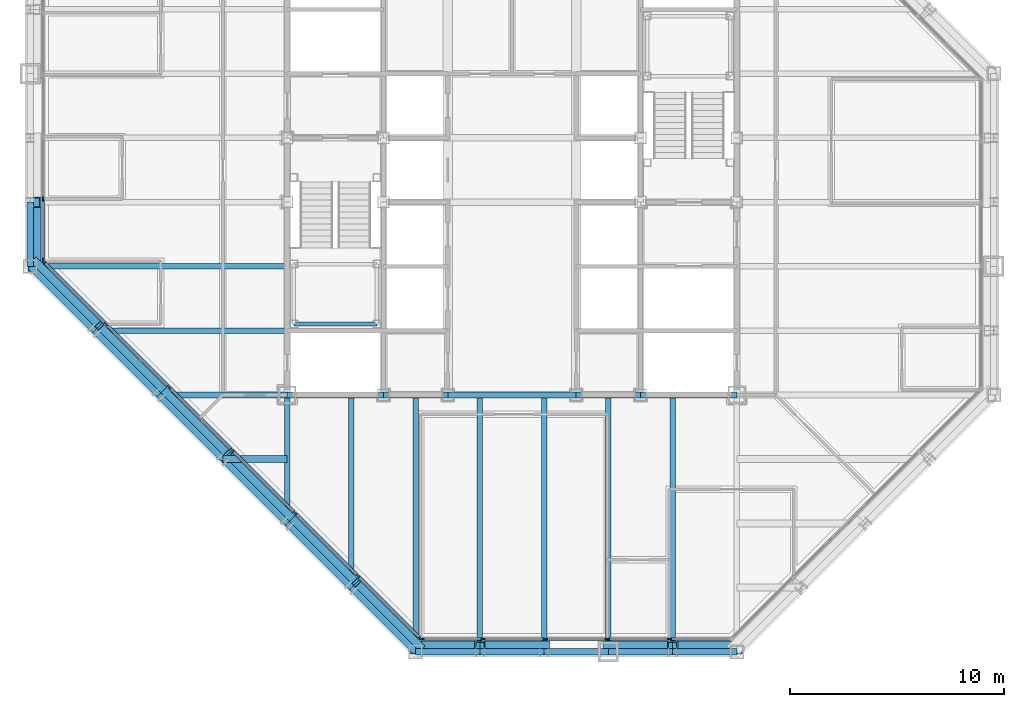
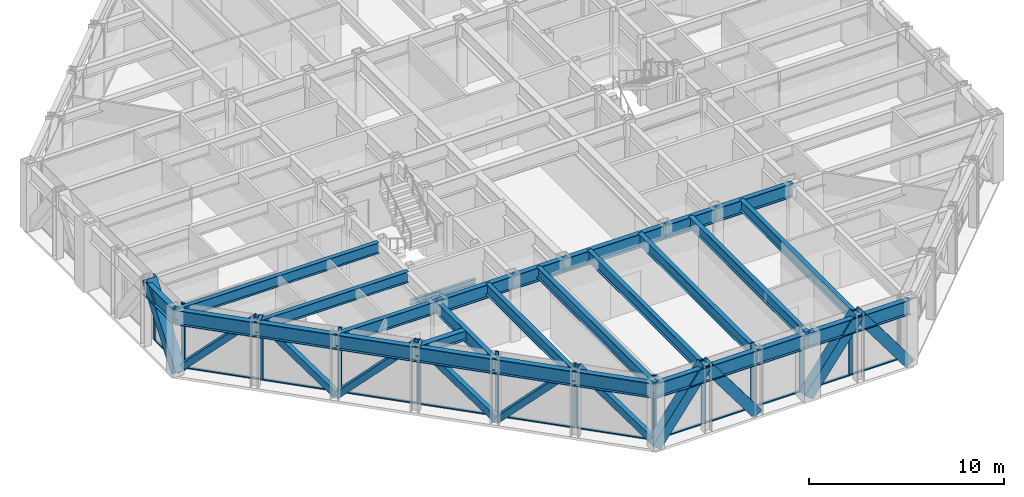
# One storey, part 5 of 16: 37 members, 29 beams, 3 elements without a shape of their own.
"""IFC4 building model written with IfcOpenShell, lengths in metres."""

from ifc_helpers import new_model, si_unit, direction, frame, origin, origin_2d, place, context, subcontext, project, spatial, rectangle, hollow_rectangle, i_section, extrude, material, layer, layer_set, material_profile, profile_set, type_object, element, aggregate, save


model = new_model("IFC4")

# Units and contexts
model_context = context("Model", 3, precision=1e-05, world=origin(), true_north=direction((0.0, 1.0)))
body_context = subcontext(model_context, "Body", "Model", "MODEL_VIEW")
ifc_project = project(units=[si_unit("LENGTHUNIT", "METRE"), si_unit("AREAUNIT", "SQUARE_METRE"), si_unit("VOLUMEUNIT", "CUBIC_METRE"), si_unit("PLANEANGLEUNIT", "RADIAN"), si_unit("MASSUNIT", "GRAM", prefix="KILO")], contexts=[model_context])

# Site, building, storey
site_placement = place(None, origin())
site = spatial("IfcSite", under=ifc_project, at=site_placement, CompositionType="ELEMENT")
building_placement = place(site_placement, origin())
building = spatial("IfcBuilding", under=site, at=building_placement, Name="Chuquiago Exchange Tower", CompositionType="ELEMENT")
storey_placement = place(building_placement, frame((0.0, 0.0, 234.89990234375)))
storey = spatial("IfcBuildingStorey", under=building, at=storey_placement, Name="L52", CompositionType="ELEMENT", Elevation=234.89990234375)

# Beams
ifc_material_1 = material(Name="Steel ASTM A992", Category="steel")
ifc_material_profile_1 = material_profile(ifc_material_1, i_section(OverallWidth=0.25390625, OverallDepth=0.683349609375, WebThickness=0.012451171875, FlangeThickness=0.018798828125, at=origin_2d()), Name="W27X94")
ifc_profile_set_1 = profile_set([ifc_material_profile_1], Name="Steel ASTM A992")
beam_type_1 = type_object("IfcBeamType", Name="B1 W27X94", PredefinedType="BEAM", material=ifc_profile_set_1)
beam_1_placement = place(storey_placement, frame((15.0, 12.0, 3.698486328125), z_axis=(0.0, -1.0, 0.0), x_axis=(1.0, 0.0, 0.0)))
element("IfcBeam", 1, at=beam_1_placement, inside=storey, type_object=beam_type_1, Name="FB-L53-infill-15_12-15_3-0", PredefinedType="BEAM", context=body_context, shape_type="SweptSolid", body=[
    extrude(i_section(OverallWidth=0.25390625, OverallDepth=0.683349609375, WebThickness=0.012451171875, FlangeThickness=0.018798828125, at=origin_2d()), origin(), (0.0, 0.0, 1.0), 9.0),
])
for number, where, z_axis, x_axis, name in (
    (2, (18.0, 12.0, 3.698486328125), (0.0, -1.0, 0.0), (1.0, 0.0, 0.0), "FB-L53-infill-18_12-18_-0-0"),
    (3, (21.0, 12.0, 3.698486328125), (0.0, -1.0, 0.0), (1.0, 0.0, 0.0), "FB-L53-infill-21_12-21_-0-0"),
    (4, (24.0, 12.0, 3.698486328125), (0.0, -1.0, 0.0), (1.0, 0.0, 0.0), "FB-L53-infill-24_12-24_-0-0"),
    (5, (27.0, 12.0, 3.698486328125), (0.0, -1.0, 0.0), (1.0, 0.0, 0.0), "FB-L53-infill-27_12-27_-0-0"),
    (6, (30.0, 12.0, 3.698486328125), (0.0, -1.0, 0.0), (1.0, 0.0, 0.0), "FB-L53-infill-30_12-30_-0-0"),
):
    element("IfcBeam", number, at=place(storey_placement, frame(where, z_axis=z_axis, x_axis=x_axis)), inside=storey, type_object=beam_type_1, Name=name, PredefinedType="BEAM", context=body_context, shape_type="SweptSolid", body=[
        extrude(i_section(OverallWidth=0.25390625, OverallDepth=0.683349609375, WebThickness=0.012451171875, FlangeThickness=0.018798828125, at=origin_2d()), origin(), (0.0, 0.0, 1.0), 12.0),
    ])
beam_2_placement = place(storey_placement, frame((12.0, 15.0, 3.698486328125), z_axis=(-1.0, 0.0, 0.0), x_axis=(0.0, -1.0, 0.0)))
element("IfcBeam", 7, at=beam_2_placement, inside=storey, type_object=beam_type_1, Name="FB-L53-infill-12_15-3_15-0", PredefinedType="BEAM", context=body_context, shape_type="SweptSolid", body=[
    extrude(i_section(OverallWidth=0.25390625, OverallDepth=0.683349609375, WebThickness=0.012451171875, FlangeThickness=0.018798828125, at=origin_2d()), origin(), (0.0, 0.0, 1.0), 9.0),
])
beam_3_placement = place(storey_placement, frame((12.0, 18.0, 3.698486328125), z_axis=(-1.0, 0.0, 0.0), x_axis=(0.0, -1.0, 0.0)))
element("IfcBeam", 8, at=beam_3_placement, inside=storey, type_object=beam_type_1, Name="FB-L53-infill-12_18--0_18-0", PredefinedType="BEAM", context=body_context, shape_type="SweptSolid", body=[
    extrude(i_section(OverallWidth=0.25390625, OverallDepth=0.683349609375, WebThickness=0.012451171875, FlangeThickness=0.018798828125, at=origin_2d()), origin(), (0.0, 0.0, 1.0), 12.0),
])
ifc_material_2 = material(Name="Steel ASTM A992", Category="steel")
ifc_material_profile_2 = material_profile(ifc_material_2, i_section(OverallWidth=0.3251953125, OverallDepth=0.612060546875, WebThickness=0.0126953125, FlangeThickness=0.01904296875, at=origin_2d()), Name="W24X104")
ifc_profile_set_2 = profile_set([ifc_material_profile_2], Name="Steel ASTM A992")
beam_type_2 = type_object("IfcBeamType", Name="B2 W24X104", PredefinedType="BEAM", material=ifc_profile_set_2)
beam_4_placement = place(storey_placement, frame((12.0, 9.0, 3.73388671875), z_axis=(-1.0, 0.0, 0.0), x_axis=(0.0, -1.0, 0.0)))
element("IfcBeam", 9, at=beam_4_placement, inside=storey, type_object=beam_type_2, Name="FB-L53-corner-12_9-9_9-0", PredefinedType="BEAM", context=body_context, shape_type="SweptSolid", body=[
    extrude(i_section(OverallWidth=0.3251953125, OverallDepth=0.612060546875, WebThickness=0.0126953125, FlangeThickness=0.01904296875, at=origin_2d()), origin(), (0.0, 0.0, 1.0), 3.0),
])
ifc_material_3 = material(Name="Steel ASTM A992", Category="steel")
ifc_material_profile_3 = material_profile(ifc_material_3, i_section(OverallWidth=0.2919921875, OverallDepth=0.8583984375, WebThickness=0.01708984375, FlangeThickness=0.031005859375, at=origin_2d()), Name="W33X169")
ifc_profile_set_3 = profile_set([ifc_material_profile_3], Name="Steel ASTM A992")
beam_type_3 = type_object("IfcBeamType", Name="B3 W33X169", PredefinedType="BEAM", material=ifc_profile_set_3)
beam_5_placement = place(storey_placement, frame((12.0, 12.0, 3.61083984375), z_axis=(1.0, 0.0, 0.0), x_axis=(0.0, 1.0, 0.0)))
element("IfcBeam", 10, at=beam_5_placement, inside=storey, type_object=beam_type_3, Name="CB-L53-12_12-16.5_12", PredefinedType="BEAM", context=body_context, shape_type="SweptSolid", body=[
    extrude(i_section(OverallWidth=0.2919921875, OverallDepth=0.8583984375, WebThickness=0.01708984375, FlangeThickness=0.031005859375, at=origin_2d()), origin(), (0.0, 0.0, 1.0), 4.5),
])
beam_6_placement = place(storey_placement, frame((16.5, 12.0, 3.61083984375), z_axis=(1.0, 0.0, 0.0), x_axis=(0.0, 1.0, 0.0)))
element("IfcBeam", 11, at=beam_6_placement, inside=storey, type_object=beam_type_3, Name="CB-L53-16.5_12-19.5_12", PredefinedType="BEAM", context=body_context, shape_type="SweptSolid", body=[
    extrude(i_section(OverallWidth=0.2919921875, OverallDepth=0.8583984375, WebThickness=0.01708984375, FlangeThickness=0.031005859375, at=origin_2d()), origin(), (0.0, 0.0, 1.0), 3.0),
])
beam_7_placement = place(storey_placement, frame((19.5, 12.0, 3.61083984375), z_axis=(1.0, 0.0, 0.0), x_axis=(0.0, 1.0, 0.0)))
element("IfcBeam", 12, at=beam_7_placement, inside=storey, type_object=beam_type_3, Name="CB-L53-19.5_12-25.5_12", PredefinedType="BEAM", context=body_context, shape_type="SweptSolid", body=[
    extrude(i_section(OverallWidth=0.2919921875, OverallDepth=0.8583984375, WebThickness=0.01708984375, FlangeThickness=0.031005859375, at=origin_2d()), origin(), (0.0, 0.0, 1.0), 6.0),
])
beam_8_placement = place(storey_placement, frame((25.5, 12.0, 3.61083984375), z_axis=(1.0, 0.0, 0.0), x_axis=(0.0, 1.0, 0.0)))
element("IfcBeam", 13, at=beam_8_placement, inside=storey, type_object=beam_type_3, Name="CB-L53-25.5_12-28.5_12", PredefinedType="BEAM", context=body_context, shape_type="SweptSolid", body=[
    extrude(i_section(OverallWidth=0.2919921875, OverallDepth=0.8583984375, WebThickness=0.01708984375, FlangeThickness=0.031005859375, at=origin_2d()), origin(), (0.0, 0.0, 1.0), 3.0),
])
beam_9_placement = place(storey_placement, frame((28.5, 12.0, 3.61083984375), z_axis=(1.0, 0.0, 0.0), x_axis=(0.0, 1.0, 0.0)))
element("IfcBeam", 14, at=beam_9_placement, inside=storey, type_object=beam_type_3, Name="CB-L53-28.5_12-33_12", PredefinedType="BEAM", context=body_context, shape_type="SweptSolid", body=[
    extrude(i_section(OverallWidth=0.2919921875, OverallDepth=0.8583984375, WebThickness=0.01708984375, FlangeThickness=0.031005859375, at=origin_2d()), origin(), (0.0, 0.0, 1.0), 4.5),
])

# Curtain wall, members
ifc_material_4 = material(Name="Aluminium curtain wall system", Category="aluminium")
ifc_layer_1 = layer(ifc_material_4, 0.22509765625)
ifc_layer_set_1 = layer_set([ifc_layer_1], Name="CW2 office curtain wall")
curtain_wall_type_1 = type_object("IfcCurtainWallType", Name="CW2 office curtain wall", PredefinedType="NOTDEFINED", material=ifc_layer_set_1)
curtain_wall_1_placement = place(storey_placement, origin())
curtain_wall_1 = element("IfcCurtainWall", 15, at=curtain_wall_1_placement, inside=storey, type_object=curtain_wall_type_1, Name="CW2 curtain wall L52", PredefinedType="NOTDEFINED")
ifc_material_5 = material(Name="Aluminium mullion, pale anodised", Category="aluminium")
ifc_material_profile_4 = material_profile(ifc_material_5, rectangle(XDim=0.06494140625, YDim=0.22509765625, at=origin_2d()), Name="AL 65x225")
ifc_profile_set_4 = profile_set([ifc_material_profile_4], Name="Aluminium mullion, pale anodised")
member_type_1 = type_object("IfcMemberType", Name="CW2-M mullion 65x225", PredefinedType="MULLION", material=ifc_profile_set_4)
member_1_placement = place(storey_placement, frame((18.281005859375, 0.60009765625, 0.0), z_axis=(0.0, 0.0, 1.0), x_axis=(0.0, 1.0, 0.0)))
member_1 = element("IfcMember", 16, at=member_1_placement, type_object=member_type_1, Name="CW2 mullion 1", PredefinedType="MULLION", context=body_context, shape_type="SweptSolid", body=[
    extrude(rectangle(XDim=0.06494140625, YDim=0.22509765625, at=origin_2d()), origin(), (0.0, 0.0, 1.0), 4.0400390625),
])
member_2_placement = place(storey_placement, frame((21.149169921875, 0.60009765625, 0.0), z_axis=(0.0, 0.0, 1.0), x_axis=(0.0, 1.0, 0.0)))
member_2 = element("IfcMember", 17, at=member_2_placement, type_object=member_type_1, Name="CW2 mullion 2", PredefinedType="MULLION", context=body_context, shape_type="SweptSolid", body=[
    extrude(rectangle(XDim=0.06494140625, YDim=0.22509765625, at=origin_2d()), origin(), (0.0, 0.0, 1.0), 4.0400390625),
])
member_3_placement = place(storey_placement, frame((24.0498046875, 0.60009765625, 0.0), z_axis=(0.0, 0.0, 1.0), x_axis=(0.0, 1.0, 0.0)))
member_3 = element("IfcMember", 18, at=member_3_placement, type_object=member_type_1, Name="CW2 mullion 3", PredefinedType="MULLION", context=body_context, shape_type="SweptSolid", body=[
    extrude(rectangle(XDim=0.06494140625, YDim=0.22509765625, at=origin_2d()), origin(), (0.0, 0.0, 1.0), 4.0400390625),
])
member_4_placement = place(storey_placement, frame((26.9501953125, 0.60009765625, 0.0), z_axis=(0.0, 0.0, 1.0), x_axis=(0.0, 1.0, 0.0)))
member_4 = element("IfcMember", 19, at=member_4_placement, type_object=member_type_1, Name="CW2 mullion 4", PredefinedType="MULLION", context=body_context, shape_type="SweptSolid", body=[
    extrude(rectangle(XDim=0.06494140625, YDim=0.22509765625, at=origin_2d()), origin(), (0.0, 0.0, 1.0), 4.0400390625),
])
member_5_placement = place(storey_placement, frame((29.850830078125, 0.60009765625, 0.0), z_axis=(0.0, 0.0, 1.0), x_axis=(0.0, 1.0, 0.0)))
member_5 = element("IfcMember", 20, at=member_5_placement, type_object=member_type_1, Name="CW2 mullion 5", PredefinedType="MULLION", context=body_context, shape_type="SweptSolid", body=[
    extrude(rectangle(XDim=0.06494140625, YDim=0.22509765625, at=origin_2d()), origin(), (0.0, 0.0, 1.0), 4.0400390625),
])

curtain_wall_2_placement = place(storey_placement, origin())
curtain_wall_2 = element("IfcCurtainWall", 21, at=curtain_wall_2_placement, inside=storey, type_object=curtain_wall_type_1, Name="CW2 curtain wall L52", PredefinedType="NOTDEFINED")
member_6_placement = place(storey_placement, frame((0.60009765625, 21.149169921875, 0.0), z_axis=(0.0, 0.0, 1.0), x_axis=(1.0, 0.0, 0.0)))
member_6 = element("IfcMember", 22, at=member_6_placement, type_object=member_type_1, Name="CW2 mullion 5", PredefinedType="MULLION", context=body_context, shape_type="SweptSolid", body=[
    extrude(rectangle(XDim=0.06494140625, YDim=0.22509765625, at=origin_2d()), origin(), (0.0, 0.0, 1.0), 4.0400390625),
])
member_7_placement = place(storey_placement, frame((0.60009765625, 18.281005859375, 0.0), z_axis=(0.0, 0.0, 1.0), x_axis=(1.0, 0.0, 0.0)))
member_7 = element("IfcMember", 23, at=member_7_placement, type_object=member_type_1, Name="CW2 mullion 6", PredefinedType="MULLION", context=body_context, shape_type="SweptSolid", body=[
    extrude(rectangle(XDim=0.06494140625, YDim=0.22509765625, at=origin_2d()), origin(), (0.0, 0.0, 1.0), 4.0400390625),
])

# Member
ifc_material_6 = material(Name="Aluminium transom, pale anodised", Category="aluminium")
ifc_material_profile_5 = material_profile(ifc_material_6, rectangle(XDim=0.139892578125, YDim=0.06494140625, at=origin_2d()), Name="AL 140x65")
ifc_profile_set_5 = profile_set([ifc_material_profile_5], Name="Aluminium transom, pale anodised")
member_type_2 = type_object("IfcMemberType", Name="CW2-T transom 65x140", PredefinedType="MULLION", material=ifc_profile_set_5)
member_8_placement = place(storey_placement, frame((18.3134765625, 0.60009765625, 0.03271484375), z_axis=(1.0, 0.0, 0.0), x_axis=(0.0, 1.0, 0.0)))
member_8 = element("IfcMember", 24, at=member_8_placement, type_object=member_type_2, Name="CW2 transom 1.1", PredefinedType="MULLION", context=body_context, shape_type="SweptSolid", body=[
    extrude(rectangle(XDim=0.139892578125, YDim=0.06494140625, at=origin_2d()), origin(), (0.0, 0.0, 1.0), 2.80322265625),
])

member_9_placement = place(storey_placement, frame((21.181640625, 0.60009765625, 0.03271484375), z_axis=(1.0, 0.0, 0.0), x_axis=(0.0, 1.0, 0.0)))
member_9 = element("IfcMember", 25, at=member_9_placement, type_object=member_type_2, Name="CW2 transom 2.1", PredefinedType="MULLION", context=body_context, shape_type="SweptSolid", body=[
    extrude(rectangle(XDim=0.139892578125, YDim=0.06494140625, at=origin_2d()), origin(), (0.0, 0.0, 1.0), 2.83544921875),
])

member_10_placement = place(storey_placement, frame((24.082275390625, 0.60009765625, 0.03271484375), z_axis=(1.0, 0.0, 0.0), x_axis=(0.0, 1.0, 0.0)))
member_10 = element("IfcMember", 26, at=member_10_placement, type_object=member_type_2, Name="CW2 transom 3.1", PredefinedType="MULLION", context=body_context, shape_type="SweptSolid", body=[
    extrude(rectangle(XDim=0.139892578125, YDim=0.06494140625, at=origin_2d()), origin(), (0.0, 0.0, 1.0), 2.83544921875),
])

member_11_placement = place(storey_placement, frame((26.98291015625, 0.60009765625, 0.03271484375), z_axis=(1.0, 0.0, 0.0), x_axis=(0.0, 1.0, 0.0)))
member_11 = element("IfcMember", 27, at=member_11_placement, type_object=member_type_2, Name="CW2 transom 4.1", PredefinedType="MULLION", context=body_context, shape_type="SweptSolid", body=[
    extrude(rectangle(XDim=0.139892578125, YDim=0.06494140625, at=origin_2d()), origin(), (0.0, 0.0, 1.0), 2.83544921875),
])

member_12_placement = place(storey_placement, frame((29.88330078125, 0.60009765625, 0.03271484375), z_axis=(1.0, 0.0, 0.0), x_axis=(0.0, 1.0, 0.0)))
member_12 = element("IfcMember", 28, at=member_12_placement, type_object=member_type_2, Name="CW2 transom 5.1", PredefinedType="MULLION", context=body_context, shape_type="SweptSolid", body=[
    extrude(rectangle(XDim=0.139892578125, YDim=0.06494140625, at=origin_2d()), origin(), (0.0, 0.0, 1.0), 2.80322265625),
])

aggregate(curtain_wall_1, [member_1, member_2, member_3, member_4, member_5, member_8, member_9, member_10, member_11, member_12])

member_13_placement = place(storey_placement, frame((0.60009765625, 21.11669921875, 0.03271484375), z_axis=(0.0, -1.0, 0.0), x_axis=(1.0, 0.0, 0.0)))
member_13 = element("IfcMember", 29, at=member_13_placement, type_object=member_type_2, Name="CW2 transom 5.1", PredefinedType="MULLION", context=body_context, shape_type="SweptSolid", body=[
    extrude(rectangle(XDim=0.139892578125, YDim=0.06494140625, at=origin_2d()), origin(), (0.0, 0.0, 1.0), 2.80322265625),
])

aggregate(curtain_wall_2, [member_6, member_7, member_13])

# Curtain wall, members
ifc_material_7 = material(Name="Aluminium curtain wall system", Category="aluminium")
ifc_layer_2 = layer(ifc_material_7, 0.199951171875)
ifc_layer_set_2 = layer_set([ifc_layer_2], Name="CW3 facet curtain wall")
curtain_wall_type_2 = type_object("IfcCurtainWallType", Name="CW3 facet curtain wall", PredefinedType="NOTDEFINED", material=ifc_layer_set_2)
curtain_wall_3_placement = place(storey_placement, origin())
curtain_wall_3 = element("IfcCurtainWall", 30, at=curtain_wall_3_placement, inside=storey, type_object=curtain_wall_type_2, Name="CW3 curtain wall L52", PredefinedType="NOTDEFINED")
ifc_material_8 = material(Name="Aluminium mullion, pale anodised", Category="aluminium")
ifc_material_profile_6 = material_profile(ifc_material_8, rectangle(XDim=0.06494140625, YDim=0.199951171875, at=origin_2d()), Name="AL 65x200")
ifc_profile_set_6 = profile_set([ifc_material_profile_6], Name="Aluminium mullion, pale anodised")
member_type_3 = type_object("IfcMemberType", Name="CW3-M mullion 65x200", PredefinedType="MULLION", material=ifc_profile_set_6)
member_14_placement = place(storey_placement, frame((0.623046875, 18.2255859375, 0.0), z_axis=(0.0, 0.0, 1.0), x_axis=(0.707106781187, 0.707106781187, 0.0)))
member_14 = element("IfcMember", 31, at=member_14_placement, type_object=member_type_3, Name="CW3 mullion 1", PredefinedType="MULLION", context=body_context, shape_type="SweptSolid", body=[
    extrude(rectangle(XDim=0.06494140625, YDim=0.199951171875, at=origin_2d()), origin(), (0.0, 0.0, 1.0), 4.0400390625),
])
member_15_placement = place(storey_placement, frame((3.54150390625, 15.30712890625, 0.0), z_axis=(0.0, 0.0, 1.0), x_axis=(0.707106781187, 0.707106781187, 0.0)))
member_15 = element("IfcMember", 32, at=member_15_placement, type_object=member_type_3, Name="CW3 mullion 2", PredefinedType="MULLION", context=body_context, shape_type="SweptSolid", body=[
    extrude(rectangle(XDim=0.06494140625, YDim=0.199951171875, at=origin_2d()), origin(), (0.0, 0.0, 1.0), 4.0400390625),
])
member_16_placement = place(storey_placement, frame((6.48291015625, 12.36572265625, 0.0), z_axis=(0.0, 0.0, 1.0), x_axis=(0.707106781187, 0.707106781187, 0.0)))
member_16 = element("IfcMember", 33, at=member_16_placement, type_object=member_type_3, Name="CW3 mullion 3", PredefinedType="MULLION", context=body_context, shape_type="SweptSolid", body=[
    extrude(rectangle(XDim=0.06494140625, YDim=0.199951171875, at=origin_2d()), origin(), (0.0, 0.0, 1.0), 4.0400390625),
])
member_17_placement = place(storey_placement, frame((9.42431640625, 9.42431640625, 0.0), z_axis=(0.0, 0.0, 1.0), x_axis=(0.707106781187, 0.707106781187, 0.0)))
member_17 = element("IfcMember", 34, at=member_17_placement, type_object=member_type_3, Name="CW3 mullion 4", PredefinedType="MULLION", context=body_context, shape_type="SweptSolid", body=[
    extrude(rectangle(XDim=0.06494140625, YDim=0.199951171875, at=origin_2d()), origin(), (0.0, 0.0, 1.0), 4.0400390625),
])
member_18_placement = place(storey_placement, frame((12.36572265625, 6.48291015625, 0.0), z_axis=(0.0, 0.0, 1.0), x_axis=(0.707106781187, 0.707106781187, 0.0)))
member_18 = element("IfcMember", 35, at=member_18_placement, type_object=member_type_3, Name="CW3 mullion 5", PredefinedType="MULLION", context=body_context, shape_type="SweptSolid", body=[
    extrude(rectangle(XDim=0.06494140625, YDim=0.199951171875, at=origin_2d()), origin(), (0.0, 0.0, 1.0), 4.0400390625),
])
member_19_placement = place(storey_placement, frame((15.30712890625, 3.54150390625, 0.0), z_axis=(0.0, 0.0, 1.0), x_axis=(0.707106781187, 0.707106781187, 0.0)))
member_19 = element("IfcMember", 36, at=member_19_placement, type_object=member_type_3, Name="CW3 mullion 6", PredefinedType="MULLION", context=body_context, shape_type="SweptSolid", body=[
    extrude(rectangle(XDim=0.06494140625, YDim=0.199951171875, at=origin_2d()), origin(), (0.0, 0.0, 1.0), 4.0400390625),
])
member_20_placement = place(storey_placement, frame((18.2255859375, 0.623046875, 0.0), z_axis=(0.0, 0.0, 1.0), x_axis=(0.707106781187, 0.707106781187, 0.0)))
member_20 = element("IfcMember", 37, at=member_20_placement, type_object=member_type_3, Name="CW3 mullion 7", PredefinedType="MULLION", context=body_context, shape_type="SweptSolid", body=[
    extrude(rectangle(XDim=0.06494140625, YDim=0.199951171875, at=origin_2d()), origin(), (0.0, 0.0, 1.0), 4.0400390625),
])
ifc_material_9 = material(Name="Aluminium transom, pale anodised", Category="aluminium")
ifc_material_profile_7 = material_profile(ifc_material_9, rectangle(XDim=0.139892578125, YDim=0.06494140625, at=origin_2d()), Name="AL 140x65")
ifc_profile_set_7 = profile_set([ifc_material_profile_7], Name="Aluminium transom, pale anodised")
member_type_4 = type_object("IfcMemberType", Name="CW3-T transom 65x140", PredefinedType="MULLION", material=ifc_profile_set_7)
member_21_placement = place(storey_placement, frame((0.64599609375, 18.20263671875, 0.03271484375), z_axis=(0.707106781187, -0.707106781187, 0.0), x_axis=(0.707106781187, 0.707106781187, 0.0)))
member_21 = element("IfcMember", 38, at=member_21_placement, type_object=member_type_4, Name="CW3 transom 1.1", PredefinedType="MULLION", context=body_context, shape_type="SweptSolid", body=[
    extrude(rectangle(XDim=0.139892578125, YDim=0.06494140625, at=origin_2d()), origin(), (0.0, 0.0, 1.0), 4.0625),
])
member_22_placement = place(storey_placement, frame((3.564453125, 15.2841796875, 0.03271484375), z_axis=(0.707106781187, -0.707106781187, 0.0), x_axis=(0.707106781187, 0.707106781187, 0.0)))
member_22 = element("IfcMember", 39, at=member_22_placement, type_object=member_type_4, Name="CW3 transom 2.1", PredefinedType="MULLION", context=body_context, shape_type="SweptSolid", body=[
    extrude(rectangle(XDim=0.139892578125, YDim=0.06494140625, at=origin_2d()), origin(), (0.0, 0.0, 1.0), 4.094970703125),
])
member_23_placement = place(storey_placement, frame((6.505859375, 12.3427734375, 0.03271484375), z_axis=(0.707106781187, -0.707106781187, 0.0), x_axis=(0.707106781187, 0.707106781187, 0.0)))
member_23 = element("IfcMember", 40, at=member_23_placement, type_object=member_type_4, Name="CW3 transom 3.1", PredefinedType="MULLION", context=body_context, shape_type="SweptSolid", body=[
    extrude(rectangle(XDim=0.139892578125, YDim=0.06494140625, at=origin_2d()), origin(), (0.0, 0.0, 1.0), 4.094970703125),
])
member_24_placement = place(storey_placement, frame((9.447265625, 9.4013671875, 0.03271484375), z_axis=(0.707106781187, -0.707106781187, 0.0), x_axis=(0.707106781187, 0.707106781187, 0.0)))
member_24 = element("IfcMember", 41, at=member_24_placement, type_object=member_type_4, Name="CW3 transom 4.1", PredefinedType="MULLION", context=body_context, shape_type="SweptSolid", body=[
    extrude(rectangle(XDim=0.139892578125, YDim=0.06494140625, at=origin_2d()), origin(), (0.0, 0.0, 1.0), 4.094970703125),
])
member_25_placement = place(storey_placement, frame((12.388671875, 6.4599609375, 0.03271484375), z_axis=(0.707106781187, -0.707106781187, 0.0), x_axis=(0.707106781187, 0.707106781187, 0.0)))
member_25 = element("IfcMember", 42, at=member_25_placement, type_object=member_type_4, Name="CW3 transom 5.1", PredefinedType="MULLION", context=body_context, shape_type="SweptSolid", body=[
    extrude(rectangle(XDim=0.139892578125, YDim=0.06494140625, at=origin_2d()), origin(), (0.0, 0.0, 1.0), 4.094970703125),
])
member_26_placement = place(storey_placement, frame((15.330078125, 3.5185546875, 0.03271484375), z_axis=(0.707106781187, -0.707106781187, 0.0), x_axis=(0.707106781187, 0.707106781187, 0.0)))
member_26 = element("IfcMember", 43, at=member_26_placement, type_object=member_type_4, Name="CW3 transom 6.1", PredefinedType="MULLION", context=body_context, shape_type="SweptSolid", body=[
    extrude(rectangle(XDim=0.139892578125, YDim=0.06494140625, at=origin_2d()), origin(), (0.0, 0.0, 1.0), 4.0625),
])
aggregate(curtain_wall_3, [member_14, member_15, member_16, member_17, member_18, member_19, member_20, member_21, member_22, member_23, member_24, member_25, member_26])

# Beams
ifc_material_10 = material(Name="Steel ASTM A992", Category="steel")
ifc_material_profile_8 = material_profile(ifc_material_10, i_section(OverallWidth=0.2666015625, OverallDepth=0.76953125, WebThickness=0.015625, FlangeThickness=0.025390625, at=origin_2d()), Name="W30X132")
ifc_profile_set_8 = profile_set([ifc_material_profile_8], Name="Steel ASTM A992")
beam_type_4 = type_object("IfcBeamType", Name="G1 W30X132", PredefinedType="BEAM", material=ifc_profile_set_8)
for number, where, z_axis, x_axis, name in (
    (44, (12.0, 12.0, 3.6552734375), (0.0, -1.0, 0.0), (1.0, 0.0, 0.0), "FB-L53-girder-12_12-12_6-0"),
    (45, (12.0, 12.0, 3.6552734375), (-1.0, 0.0, 0.0), (0.0, -1.0, 0.0), "FB-L53-girder-12_12-6_12-0"),
):
    element("IfcBeam", number, at=place(storey_placement, frame(where, z_axis=z_axis, x_axis=x_axis)), inside=storey, type_object=beam_type_4, Name=name, PredefinedType="BEAM", context=body_context, shape_type="SweptSolid", body=[
        extrude(i_section(OverallWidth=0.2666015625, OverallDepth=0.76953125, WebThickness=0.015625, FlangeThickness=0.025390625, at=origin_2d()), origin(), (0.0, 0.0, 1.0), 6.0),
    ])

# Members
ifc_material_11 = material(Name="Steel ASTM A500 Grade C", Category="steel")
ifc_material_profile_9 = material_profile(ifc_material_11, hollow_rectangle(XDim=0.355712890625, YDim=0.355712890625, WallThickness=0.0146484375, at=origin_2d()), Name="HSS14X14X5/8")
ifc_profile_set_9 = profile_set([ifc_material_profile_9], Name="Steel ASTM A500 Grade C")
member_type_5 = type_object("IfcMemberType", Name="LB2 HSS14X14X5/8", PredefinedType="BRACE", material=ifc_profile_set_9)
for number, where, z_axis, x_axis, name in (
    (46, (0.2314453125, 18.2314453125, 0.0), (0.512077265487, -0.512077265487, 0.689604051861), (0.707106781187, 0.707106781187, 0.0), "LB-L52-0_18-3_15"),
    (47, (6.2314453125, 12.2314453125, 0.0), (-0.512077265487, 0.512077265487, 0.689604051861), (-0.707106781187, -0.707106781187, 0.0), "LB-L52-3_15-6_12"),
    (48, (6.2314453125, 12.2314453125, 0.0), (0.512077265487, -0.512077265487, 0.689604051861), (0.707106781187, 0.707106781187, 0.0), "LB-L52-6_12-9_9"),
    (49, (12.2314453125, 6.2314453125, 0.0), (-0.512077265487, 0.512077265487, 0.689604051861), (-0.707106781187, -0.707106781187, 0.0), "LB-L52-9_9-12_6"),
    (50, (12.2314453125, 6.2314453125, 0.0), (0.512077265487, -0.512077265487, 0.689604051861), (0.707106781187, 0.707106781187, 0.0), "LB-L52-12_6-15_3"),
    (51, (18.2314453125, 0.2314453125, 0.0), (-0.512077265487, 0.512077265487, 0.689604051861), (-0.707106781187, -0.707106781187, 0.0), "LB-L52-15_3-18_0"),
):
    element("IfcMember", number, at=place(storey_placement, frame(where, z_axis=z_axis, x_axis=x_axis)), inside=storey, type_object=member_type_5, Name=name, PredefinedType="BRACE", context=body_context, shape_type="SweptSolid", body=[
        extrude(hollow_rectangle(XDim=0.355712890625, YDim=0.355712890625, WallThickness=0.0146484375, at=origin_2d()), origin(), (0.0, 0.0, 1.0), 5.8583984375),
    ])

# Beam
ifc_material_12 = material(Name="Steel ASTM A992", Category="steel")
ifc_material_profile_10 = material_profile(ifc_material_12, i_section(OverallWidth=0.164794921875, OverallDepth=0.309814453125, WebThickness=0.005859375, FlangeThickness=0.009765625, at=origin_2d()), Name="W12X26")
ifc_profile_set_10 = profile_set([ifc_material_profile_10], Name="Steel ASTM A992")
beam_type_5 = type_object("IfcBeamType", Name="LT1 W12X26", PredefinedType="BEAM", material=ifc_profile_set_10)
beam_10_placement = place(storey_placement, frame((12.31005859375, 15.31005859375, 1.7451171875), z_axis=(1.0, 0.0, 0.0), x_axis=(0.0, 1.0, 0.0)))
element("IfcBeam", 52, at=beam_10_placement, inside=storey, type_object=beam_type_5, Name="Stair ST1 L52 landing 1 trimmer", PredefinedType="BEAM", context=body_context, shape_type="SweptSolid", body=[
    extrude(i_section(OverallWidth=0.164794921875, OverallDepth=0.309814453125, WebThickness=0.005859375, FlangeThickness=0.009765625, at=origin_2d()), origin(), (0.0, 0.0, 1.0), 3.8798828125),
])

# Members
ifc_material_13 = material(Name="Steel ASTM A572 Grade 50", Category="steel")
ifc_material_profile_11 = material_profile(ifc_material_13, hollow_rectangle(XDim=0.60009765625, YDim=0.60009765625, WallThickness=0.06005859375, at=origin_2d()), Name="BOX600X600X60")
ifc_profile_set_11 = profile_set([ifc_material_profile_11], Name="Steel ASTM A572 Grade 50")
member_type_6 = type_object("IfcMemberType", Name="MB3 BOX600X600X60", PredefinedType="BRACE", material=ifc_profile_set_11)
for number, where, z_axis, x_axis, name in (
    (53, (18.0, 0.205078125, 0.0), (0.596173923302, 0.0, 0.802855312728), (0.0, 1.0, 0.0), "Mega diagonal L52 S face"),
    (54, (24.0, 0.205078125, 0.0), (-0.596173923302, 0.0, 0.802855312728), (0.0, -1.0, 0.0), "Mega diagonal L52 S face"),
    (55, (27.0, 0.205078125, 0.0), (0.596173923302, 0.0, 0.802855312728), (0.0, 1.0, 0.0), "Mega diagonal L52 S face"),
    (56, (33.0, 0.205078125, 0.0), (-0.596173923302, 0.0, 0.802855312728), (0.0, -1.0, 0.0), "Mega diagonal L52 S face"),
    (57, (0.205078125, 18.0, 0.0), (0.0, 0.596173923302, 0.802855312728), (-1.0, 0.0, 0.0), "Mega diagonal L52 W face"),
):
    element("IfcMember", number, at=place(storey_placement, frame(where, z_axis=z_axis, x_axis=x_axis)), inside=storey, type_object=member_type_6, Name=name, PredefinedType="BRACE", context=body_context, shape_type="SweptSolid", body=[
        extrude(hollow_rectangle(XDim=0.60009765625, YDim=0.60009765625, WallThickness=0.06005859375, at=origin_2d()), origin(), (0.0, 0.0, 1.0), 5.031982421875),
    ])

# Beams
ifc_material_14 = material(Name="Steel ASTM A992", Category="steel")
ifc_material_profile_12 = material_profile(ifc_material_14, i_section(OverallWidth=0.307373046875, OverallDepth=0.927001953125, WebThickness=0.01953125, FlangeThickness=0.031982421875, at=origin_2d()), Name="W36X194")
ifc_profile_set_12 = profile_set([ifc_material_profile_12], Name="Steel ASTM A992")
beam_type_6 = type_object("IfcBeamType", Name="SP3 W36X194", PredefinedType="SPANDREL", material=ifc_profile_set_12)
for number, where, z_axis, x_axis, name in (
    (58, (18.0, 0.0, 3.576416015625), (1.0, 0.0, 0.0), (0.0, 1.0, 0.0), "SPB-L53-18_0-21_0"),
    (59, (21.0, 0.0, 3.576416015625), (1.0, 0.0, 0.0), (0.0, 1.0, 0.0), "SPB-L53-21_0-24_0"),
    (60, (24.0, 0.0, 3.576416015625), (1.0, 0.0, 0.0), (0.0, 1.0, 0.0), "SPB-L53-24_0-27_0"),
    (61, (27.0, 0.0, 3.576416015625), (1.0, 0.0, 0.0), (0.0, 1.0, 0.0), "SPB-L53-27_0-30_0"),
    (62, (30.0, 0.0, 3.576416015625), (1.0, 0.0, 0.0), (0.0, 1.0, 0.0), "SPB-L53-30_0-33_0"),
    (63, (0.0, 21.0, 3.576416015625), (0.0, -1.0, 0.0), (1.0, 0.0, 0.0), "SPB-L53-0_21-0_18"),
):
    element("IfcBeam", number, at=place(storey_placement, frame(where, z_axis=z_axis, x_axis=x_axis)), inside=storey, type_object=beam_type_6, Name=name, PredefinedType="SPANDREL", context=body_context, shape_type="SweptSolid", body=[
        extrude(i_section(OverallWidth=0.307373046875, OverallDepth=0.927001953125, WebThickness=0.01953125, FlangeThickness=0.031982421875, at=origin_2d()), origin(), (0.0, 0.0, 1.0), 3.0),
    ])
for number, where, z_axis, x_axis, name in (
    (64, (0.0, 18.0, 3.576416015625), (0.707106781187, -0.707106781187, 0.0), (0.707106781187, 0.707106781187, 0.0), "SPB-L53-0_18-3_15"),
    (65, (3.0, 15.0, 3.576416015625), (0.707106781187, -0.707106781187, 0.0), (0.707106781187, 0.707106781187, 0.0), "SPB-L53-3_15-6_12"),
    (66, (6.0, 12.0, 3.576416015625), (0.707106781187, -0.707106781187, 0.0), (0.707106781187, 0.707106781187, 0.0), "SPB-L53-6_12-9_9"),
    (67, (9.0, 9.0, 3.576416015625), (0.707106781187, -0.707106781187, 0.0), (0.707106781187, 0.707106781187, 0.0), "SPB-L53-9_9-12_6"),
    (68, (12.0, 6.0, 3.576416015625), (0.707106781187, -0.707106781187, 0.0), (0.707106781187, 0.707106781187, 0.0), "SPB-L53-12_6-15_3"),
    (69, (15.0, 3.0, 3.576416015625), (0.707106781187, -0.707106781187, 0.0), (0.707106781187, 0.707106781187, 0.0), "SPB-L53-15_3-18_0"),
):
    element("IfcBeam", number, at=place(storey_placement, frame(where, z_axis=z_axis, x_axis=x_axis)), inside=storey, type_object=beam_type_6, Name=name, PredefinedType="SPANDREL", context=body_context, shape_type="SweptSolid", body=[
        extrude(i_section(OverallWidth=0.307373046875, OverallDepth=0.927001953125, WebThickness=0.01953125, FlangeThickness=0.031982421875, at=origin_2d()), origin(), (0.0, 0.0, 1.0), 4.24267578125),
    ])

save(model, "model.ifc")
